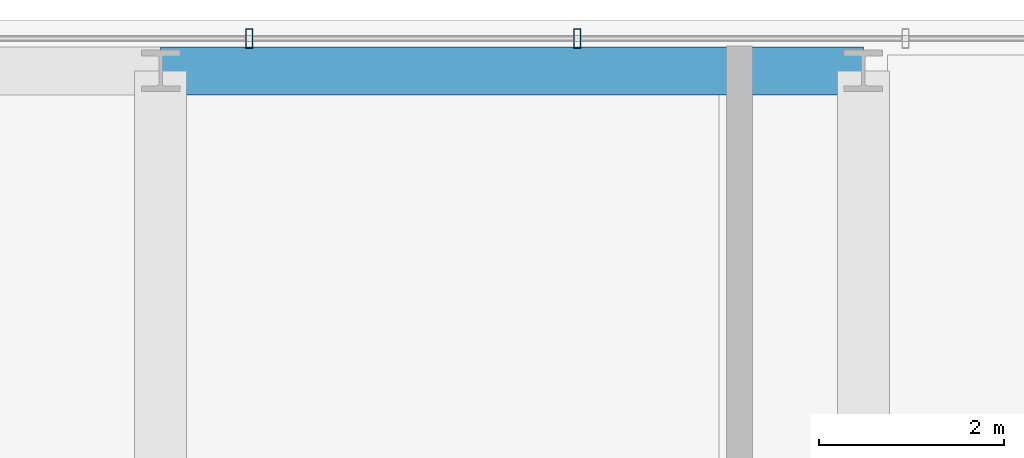
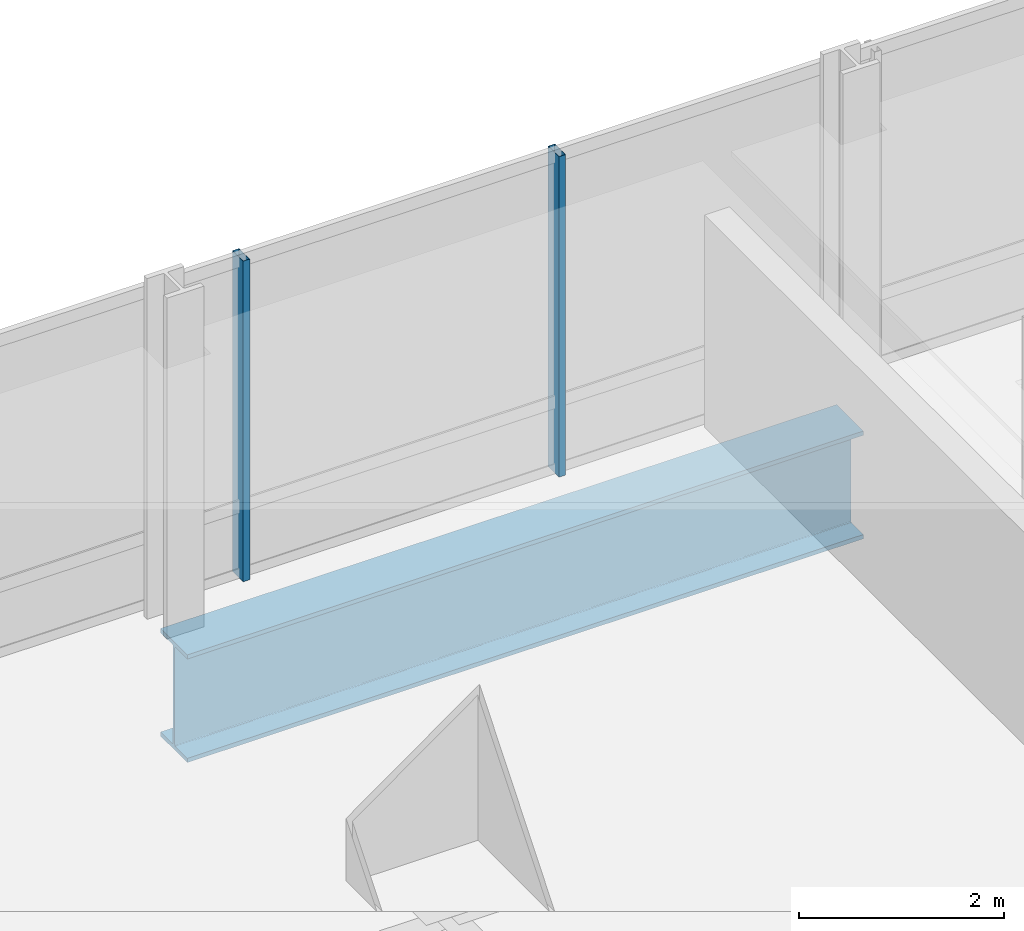
# One storey, part 22 of 35: 2 members, 1 beam, 1 element without a shape of its own.
"""IFC4 building model written with IfcOpenShell, lengths in metres."""

from ifc_helpers import new_model, si_unit, direction, frame, origin, origin_2d, place, context, subcontext, project, spatial, hollow_rectangle, i_section, extrude, material, material_profile, profile_set, type_object, element, aggregate, save


model = new_model("IFC4")

# Units and contexts
model_context = context("Model", 3, precision=1e-05, world=origin(), true_north=direction((0.0, 1.0)))
body_context = subcontext(model_context, "Body", "Model", "MODEL_VIEW")
ifc_project = project(units=[si_unit("LENGTHUNIT", "METRE"), si_unit("AREAUNIT", "SQUARE_METRE"), si_unit("VOLUMEUNIT", "CUBIC_METRE"), si_unit("PLANEANGLEUNIT", "RADIAN"), si_unit("MASSUNIT", "GRAM", prefix="KILO")], contexts=[model_context])

# Site, building, storey
site_placement = place(None, origin())
site = spatial("IfcSite", under=ifc_project, at=site_placement, CompositionType="ELEMENT")
building_placement = place(site_placement, origin())
building = spatial("IfcBuilding", under=site, at=building_placement, Name="Punatoya Terracotta Tower", CompositionType="ELEMENT")
storey_placement = place(building_placement, frame((0.0, 0.0, 113.25)))
storey = spatial("IfcBuildingStorey", under=building, at=storey_placement, Name="L26", CompositionType="ELEMENT", Elevation=113.25)

# Beam
ifc_material_1 = material(Name="Steel S460", Category="steel")
ifc_material_profile_1 = material_profile(ifc_material_1, i_section(OverallWidth=0.52001953125, OverallDepth=1.280029296875, WebThickness=0.031982421875, FlangeThickness=0.050048828125, FilletRadius=0.01806640625, at=origin_2d()))
ifc_profile_set_1 = profile_set([ifc_material_profile_1], Name="Steel S460")
beam_type = type_object("IfcBeamType", Name="BM-TG-NCK", PredefinedType="BEAM", material=ifc_profile_set_1)
beam_placement = place(storey_placement, frame((-3.800048828125, 22.89990234375, -0.8798828125), z_axis=(1.0, 0.0, 0.0), x_axis=(0.0, 1.0, 0.0)))
element("IfcBeam", 1, at=beam_placement, inside=storey, type_object=beam_type, Name="BM-L26-PER-N2", PredefinedType="BEAM", context=body_context, shape_type="SweptSolid", body=[
    extrude(i_section(OverallWidth=0.52001953125, OverallDepth=1.280029296875, WebThickness=0.031982421875, FlangeThickness=0.050048828125, FilletRadius=0.01806640625, at=origin_2d()), origin(), (0.0, 0.0, 1.0), 7.60009765625),
])

# Curtain wall, members
ifc_material_2 = material(Name="Aluminium 6063-T6 + Double Low-E Glass", Category="aluminium")
curtain_wall_type = type_object("IfcCurtainWallType", Name="CW-M1", PredefinedType="NOTDEFINED", material=ifc_material_2)
curtain_wall_placement = place(storey_placement, origin())
curtain_wall = element("IfcCurtainWall", 2, at=curtain_wall_placement, inside=storey, type_object=curtain_wall_type, Name="L26 Curtain Wall CW-L26-N08-1", PredefinedType="NOTDEFINED")
ifc_material_3 = material(Name="Aluminium 6063-T6", Category="aluminium")
ifc_material_profile_2 = material_profile(ifc_material_3, hollow_rectangle(XDim=0.074951171875, YDim=0.2099609375, WallThickness=0.00439453125, at=origin_2d()))
ifc_profile_set_2 = profile_set([ifc_material_profile_2], Name="Aluminium 6063-T6")
member_type = type_object("IfcMemberType", Name="CW-MUL-M1", PredefinedType="MULLION", material=ifc_profile_set_2)
member_1_placement = place(storey_placement, frame((0.70654296875, 23.25, 0.0), z_axis=(0.0, 0.0, 1.0), x_axis=(1.0, 0.0, 0.0)))
member_1 = element("IfcMember", 3, at=member_1_placement, type_object=member_type, Name="CW-L26-N08-1 Mullion 05", PredefinedType="MULLION", context=body_context, shape_type="SweptSolid", body=[
    extrude(hollow_rectangle(XDim=0.074951171875, YDim=0.2099609375, WallThickness=0.00439453125, at=origin_2d()), origin(), (0.0, 0.0, 1.0), 3.81005859375),
])
member_2_placement = place(storey_placement, frame((-2.842041015625, 23.25, 0.0), z_axis=(0.0, 0.0, 1.0), x_axis=(1.0, 0.0, 0.0)))
member_2 = element("IfcMember", 4, at=member_2_placement, type_object=member_type, Name="CW-L26-N08-1 Mullion 06", PredefinedType="MULLION", context=body_context, shape_type="SweptSolid", body=[
    extrude(hollow_rectangle(XDim=0.074951171875, YDim=0.2099609375, WallThickness=0.00439453125, at=origin_2d()), origin(), (0.0, 0.0, 1.0), 3.81005859375),
])
aggregate(curtain_wall, [member_1, member_2])

save(model, "model.ifc")
